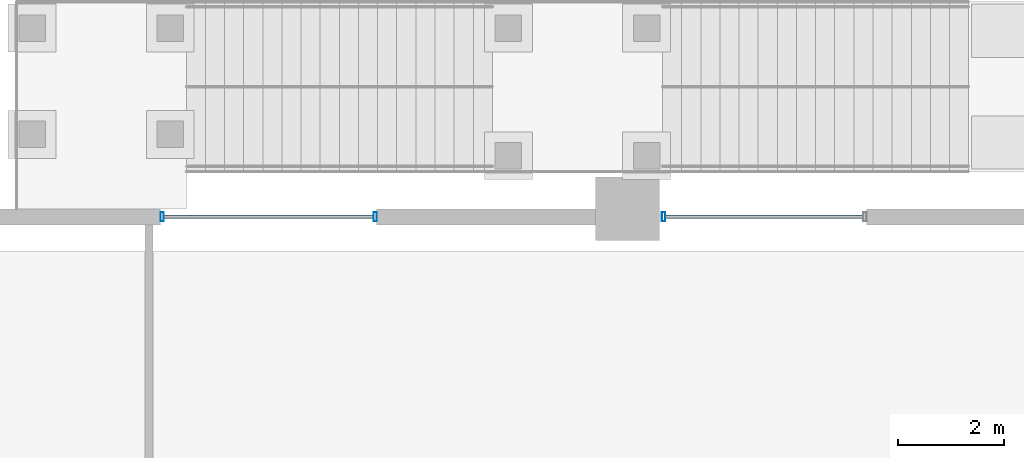
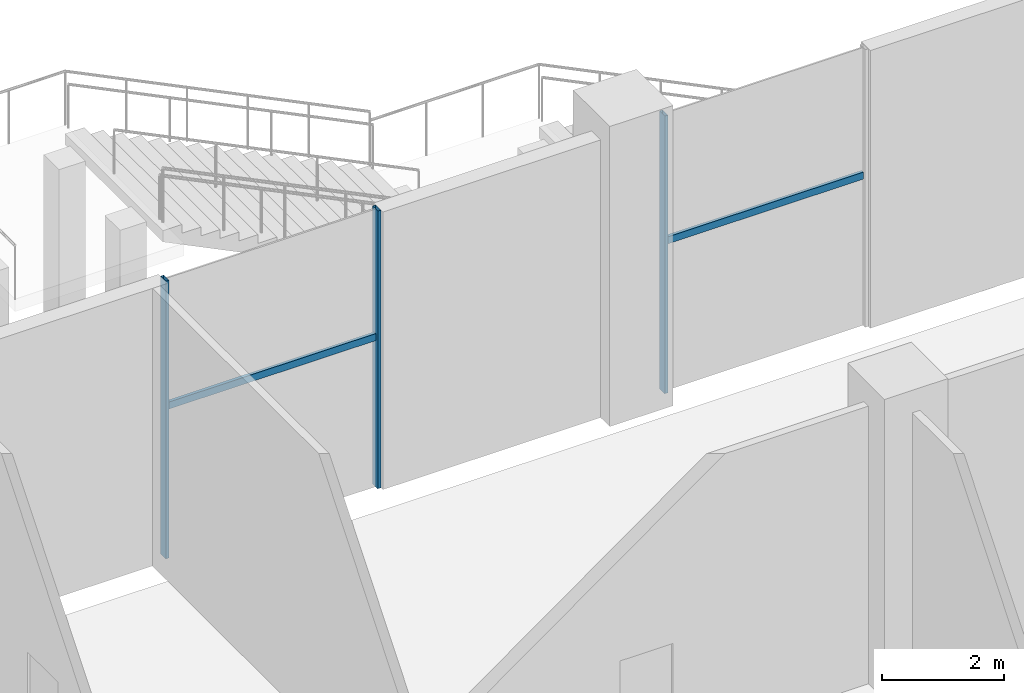
# One storey, part 19 of 68: 5 members, 2 elements without a shape of their own.
"""IFC4 building model written with IfcOpenShell, lengths in metres."""

from ifc_helpers import new_model, si_unit, direction, frame, origin, origin_2d, place, context, subcontext, project, spatial, hollow_rectangle, extrude, material, material_profile, profile_set, type_object, element, aggregate, save


model = new_model("IFC4")

# Units and contexts
model_context = context("Model", 3, precision=1e-05, world=origin(), true_north=direction((0.0, 1.0)))
body_context = subcontext(model_context, "Body", "Model", "MODEL_VIEW")
ifc_project = project(units=[si_unit("LENGTHUNIT", "METRE"), si_unit("AREAUNIT", "SQUARE_METRE"), si_unit("VOLUMEUNIT", "CUBIC_METRE"), si_unit("PLANEANGLEUNIT", "RADIAN"), si_unit("MASSUNIT", "GRAM", prefix="KILO")], contexts=[model_context])

# Site, building, storey
site_placement = place(None, origin())
site = spatial("IfcSite", under=ifc_project, at=site_placement, CompositionType="ELEMENT")
building_placement = place(site_placement, origin())
building = spatial("IfcBuilding", under=site, at=building_placement, Name="Altepetl Exchange Towers", CompositionType="ELEMENT")
storey_placement = place(building_placement, origin())
storey = spatial("IfcBuildingStorey", under=building, at=storey_placement, Name="L00 Ground concourse", CompositionType="ELEMENT", Elevation=0.0)

# Curtain wall, member
ifc_material_1 = material(Name="Aluminium 6063-T6 glazing", Category="aluminium")
curtain_wall_type = type_object("IfcCurtainWallType", Name="Podium storefront system", PredefinedType="NOTDEFINED", material=ifc_material_1)
curtain_wall_1_placement = place(storey_placement, origin())
curtain_wall_1 = element("IfcCurtainWall", 1, at=curtain_wall_1_placement, inside=storey, type_object=curtain_wall_type, Name="CW5 run", PredefinedType="NOTDEFINED")
ifc_material_2 = material(Name="Aluminium 6063-T6", Category="aluminium")
ifc_material_profile_1 = material_profile(ifc_material_2, hollow_rectangle(XDim=0.06005859375, YDim=0.175048828125, WallThickness=0.0029296875, at=origin_2d()), Name="Mullion 60x175 aluminium")
ifc_profile_set_1 = profile_set([ifc_material_profile_1], Name="Aluminium 6063-T6")
member_type_1 = type_object("IfcMemberType", Name="Mullion 60x175 aluminium", PredefinedType="MULLION", material=ifc_profile_set_1)
member_1_placement = place(storey_placement, frame((144.679931640625, 98.85009765625, 0.0), z_axis=(0.0, 0.0, 1.0), x_axis=(-1.0, 0.0, 0.0)))
member_1 = element("IfcMember", 2, at=member_1_placement, type_object=member_type_1, Name="MU4 mullion", PredefinedType="MULLION", context=body_context, shape_type="SweptSolid", body=[
    extrude(hollow_rectangle(XDim=0.06005859375, YDim=0.175048828125, WallThickness=0.0029296875, at=origin_2d()), origin(), (0.0, 0.0, 1.0), 5.550048828125),
])

# Curtain wall, members
curtain_wall_2_placement = place(storey_placement, origin())
curtain_wall_2 = element("IfcCurtainWall", 3, at=curtain_wall_2_placement, inside=storey, type_object=curtain_wall_type, Name="CW5 run", PredefinedType="NOTDEFINED")
member_2_placement = place(storey_placement, frame((139.25341796875, 98.85009765625, 0.0), z_axis=(0.0, 0.0, 1.0), x_axis=(-1.0, 0.0, 0.0)))
member_2 = element("IfcMember", 4, at=member_2_placement, type_object=member_type_1, Name="MU4 mullion", PredefinedType="MULLION", context=body_context, shape_type="SweptSolid", body=[
    extrude(hollow_rectangle(XDim=0.06005859375, YDim=0.175048828125, WallThickness=0.0029296875, at=origin_2d()), origin(), (0.0, 0.0, 1.0), 5.550048828125),
])
member_3_placement = place(storey_placement, frame((135.24658203125, 98.85009765625, 0.0), z_axis=(0.0, 0.0, 1.0), x_axis=(-1.0, 0.0, 0.0)))
member_3 = element("IfcMember", 5, at=member_3_placement, type_object=member_type_1, Name="MU4 mullion", PredefinedType="MULLION", context=body_context, shape_type="SweptSolid", body=[
    extrude(hollow_rectangle(XDim=0.06005859375, YDim=0.175048828125, WallThickness=0.0029296875, at=origin_2d()), origin(), (0.0, 0.0, 1.0), 5.550048828125),
])

# Member
ifc_material_profile_2 = material_profile(ifc_material_2, hollow_rectangle(XDim=0.06005859375, YDim=0.139892578125, WallThickness=0.0029296875, at=origin_2d()), Name="Transom 60x140 aluminium")
ifc_profile_set_2 = profile_set([ifc_material_profile_2], Name="Aluminium 6063-T6")
member_type_2 = type_object("IfcMemberType", Name="Transom 60x140 aluminium", PredefinedType="USERDEFINED", material=ifc_profile_set_2)
member_4_placement = place(storey_placement, frame((148.43994140625, 98.85009765625, 3.0), z_axis=(-1.0, 0.0, 0.0), x_axis=(0.0, -1.0, 0.0)))
member_4 = element("IfcMember", 6, at=member_4_placement, type_object=member_type_2, Name="TR3 transom", ObjectType="TRANSOM", PredefinedType="USERDEFINED", context=body_context, shape_type="SweptSolid", body=[
    extrude(hollow_rectangle(XDim=0.06005859375, YDim=0.139892578125, WallThickness=0.0029296875, at=origin_2d()), origin(), (0.0, 0.0, 1.0), 3.72998046875),
])

aggregate(curtain_wall_1, [member_1, member_4])

member_5_placement = place(storey_placement, frame((139.223388671875, 98.85009765625, 3.0), z_axis=(-1.0, 0.0, 0.0), x_axis=(0.0, -1.0, 0.0)))
member_5 = element("IfcMember", 7, at=member_5_placement, type_object=member_type_2, Name="TR3 transom", ObjectType="TRANSOM", PredefinedType="USERDEFINED", context=body_context, shape_type="SweptSolid", body=[
    extrude(hollow_rectangle(XDim=0.06005859375, YDim=0.139892578125, WallThickness=0.0029296875, at=origin_2d()), origin(), (0.0, 0.0, 1.0), 3.94677734375),
])

aggregate(curtain_wall_2, [member_2, member_3, member_5])

save(model, "model.ifc")
